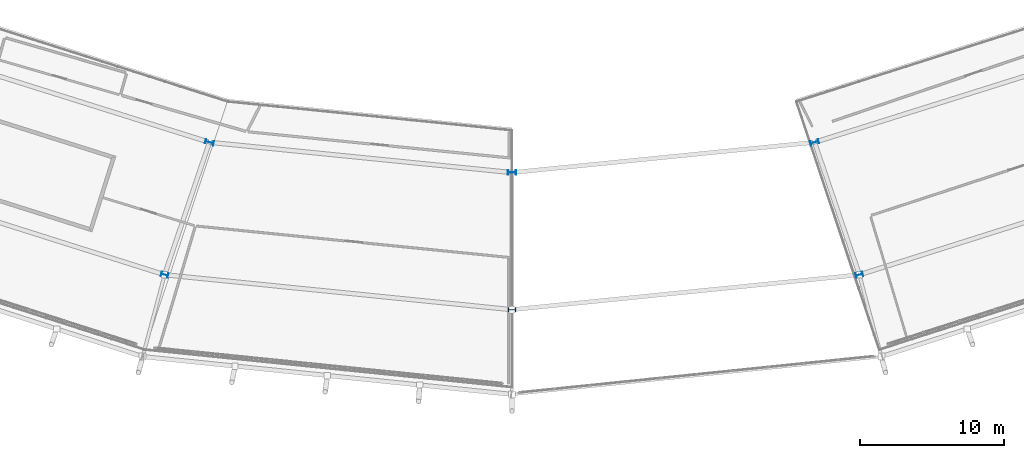
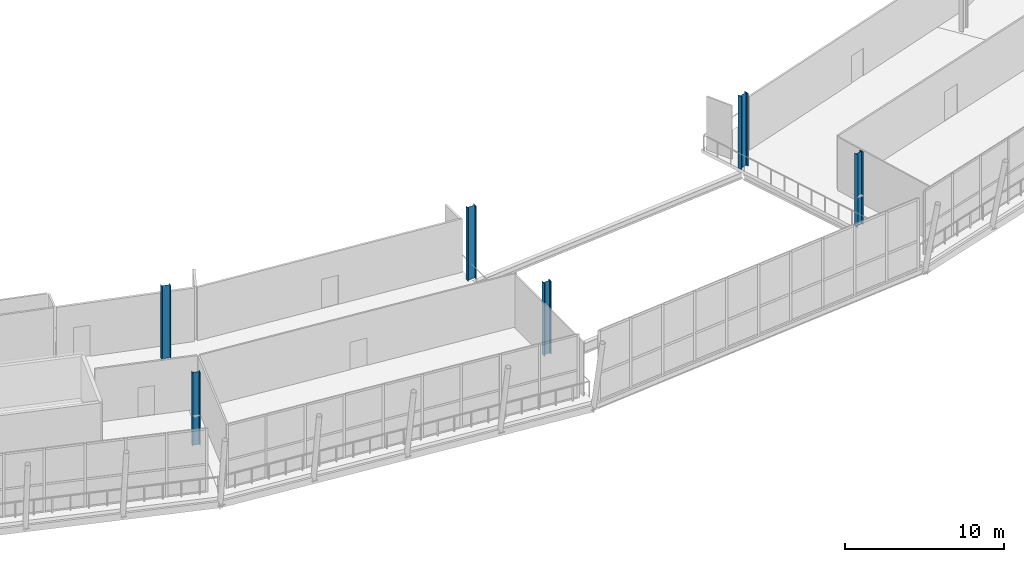
# One storey, part 3 of 99: 6 columns.
"""IFC4 building model written with IfcOpenShell, lengths in metres."""

from ifc_helpers import new_model, si_unit, direction, frame, origin, origin_2d, place, context, subcontext, project, spatial, i_section, extrude, material, material_profile, profile_set, type_object, element, save


model = new_model("IFC4")

# Units and contexts
model_context = context("Model", 3, precision=1e-05, world=origin(), true_north=direction((0.0, 1.0)))
body_context = subcontext(model_context, "Body", "Model", "MODEL_VIEW")
ifc_project = project(units=[si_unit("LENGTHUNIT", "METRE"), si_unit("AREAUNIT", "SQUARE_METRE"), si_unit("VOLUMEUNIT", "CUBIC_METRE"), si_unit("PLANEANGLEUNIT", "RADIAN"), si_unit("MASSUNIT", "GRAM", prefix="KILO")], contexts=[model_context])

# Site, building, storey
site_placement = place(None, origin())
site = spatial("IfcSite", under=ifc_project, at=site_placement, CompositionType="ELEMENT")
building_placement = place(site_placement, origin())
building = spatial("IfcBuilding", under=site, at=building_placement, Name="Zlatoyarsky Gate Stadium", CompositionType="ELEMENT")
storey_placement = place(building_placement, frame((0.0, 0.0, 26.199951171875)))
storey = spatial("IfcBuildingStorey", under=building, at=storey_placement, Name="L05", CompositionType="ELEMENT", Elevation=26.199951171875)

# Columns
ifc_material = material(Name="Steel S355", Category="steel")
ifc_material_profile_1 = material_profile(ifc_material, i_section(OverallWidth=0.300048828125, OverallDepth=0.5, WebThickness=0.014404296875, FlangeThickness=0.028076171875, FilletRadius=0.027099609375, at=origin_2d()), Name="HEB 500")
ifc_profile_set_1 = profile_set([ifc_material_profile_1], Name="Steel S355")
column_type_1 = type_object("IfcColumnType", Name="STEEL COLUMN HEB 500", PredefinedType="COLUMN", material=ifc_profile_set_1)
for number, where, z_axis, x_axis, name in (
    (1, (86.9296875, 11.419189453125, 0.0), (0.0, 0.0, 1.0), (-0.258819045103, -0.965925826289, 0.0), "Column ST-C500 RC-17 on L05"),
    (2, (111.0, 9.0, 0.0), (0.0, 0.0, 1.0), (0.0, -1.0, 0.0), "Column ST-C500 RC-18 on L05"),
    (3, (135.0703125, 11.419189453125, 0.0), (0.0, 0.0, 1.0), (0.258819045103, -0.965925826289, 0.0), "Column ST-C500 RC-19 on L05"),
):
    element("IfcColumn", number, at=place(storey_placement, frame(where, z_axis=z_axis, x_axis=x_axis)), inside=storey, type_object=column_type_1, Name=name, PredefinedType="COLUMN", context=body_context, shape_type="SweptSolid", body=[
        extrude(i_section(OverallWidth=0.300048828125, OverallDepth=0.5, WebThickness=0.014404296875, FlangeThickness=0.028076171875, FilletRadius=0.027099609375, at=origin_2d()), origin(), (0.0, 0.0, 1.0), 5.60009765625),
    ])
ifc_material_profile_2 = material_profile(ifc_material, i_section(OverallWidth=0.300048828125, OverallDepth=0.60009765625, WebThickness=0.015380859375, FlangeThickness=0.030029296875, FilletRadius=0.027099609375, at=origin_2d()), Name="HEB 600")
ifc_profile_set_2 = profile_set([ifc_material_profile_2], Name="Steel S355")
column_type_2 = type_object("IfcColumnType", Name="STEEL COLUMN HEB 600", PredefinedType="COLUMN", material=ifc_profile_set_2)
for number, where, z_axis, x_axis, name in (
    (4, (90.03564453125, 20.595703125, 0.0), (0.0, 0.0, 1.0), (-0.258819045103, -0.965925826289, 0.0), "Column ST-C600 RB-17 on L05"),
    (5, (111.0, 18.5, 0.0), (0.0, 0.0, 1.0), (0.0, -1.0, 0.0), "Column ST-C600 RB-18 on L05"),
    (6, (131.96435546875, 20.595703125, 0.0), (0.0, 0.0, 1.0), (0.258819045103, -0.965925826289, 0.0), "Column ST-C600 RB-19 on L05"),
):
    element("IfcColumn", number, at=place(storey_placement, frame(where, z_axis=z_axis, x_axis=x_axis)), inside=storey, type_object=column_type_2, Name=name, PredefinedType="COLUMN", context=body_context, shape_type="SweptSolid", body=[
        extrude(i_section(OverallWidth=0.300048828125, OverallDepth=0.60009765625, WebThickness=0.015380859375, FlangeThickness=0.030029296875, FilletRadius=0.027099609375, at=origin_2d()), origin(), (0.0, 0.0, 1.0), 5.60009765625),
    ])

save(model, "model.ifc")
